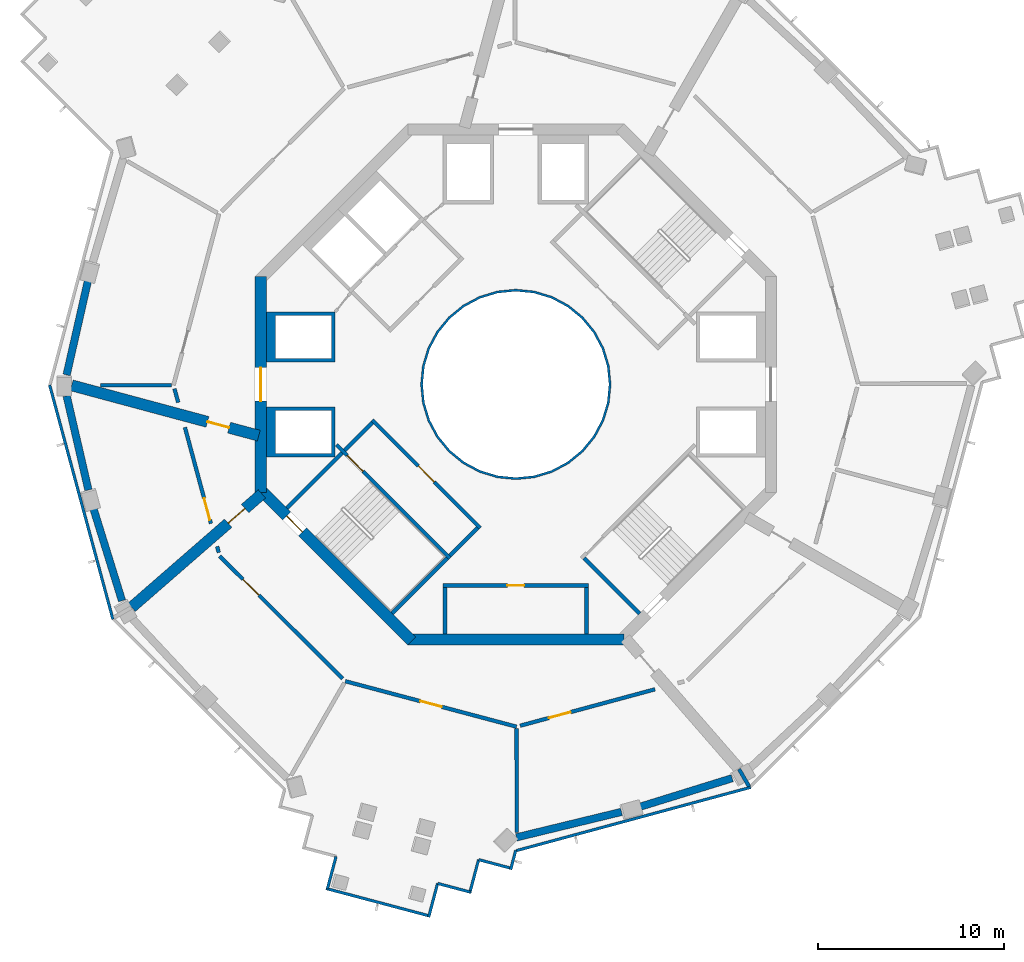
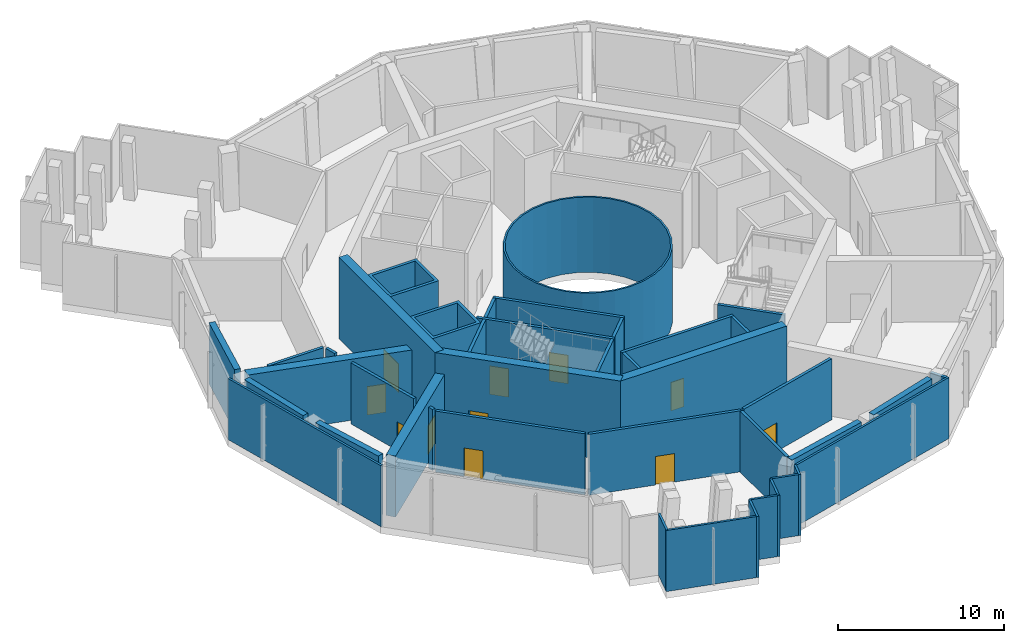
# One storey, part 2 of 16: 41 walls, 11 doors, 11 openings.
"""IFC4 building model written with IfcOpenShell, lengths in metres."""

from ifc_helpers import new_model, si_unit, direction, frame, frame_2d, origin, place, context, subcontext, project, spatial, polyline, rectangle, outline, extrude, material, layer, layer_set, type_object, element, fill, save


model = new_model("IFC4")

# Units and contexts
model_context = context("Model", 3, precision=1e-05, world=origin(), true_north=direction((0.0, 1.0)))
body_context = subcontext(model_context, "Body", "Model", "MODEL_VIEW")
ifc_project = project(units=[si_unit("LENGTHUNIT", "METRE"), si_unit("AREAUNIT", "SQUARE_METRE"), si_unit("VOLUMEUNIT", "CUBIC_METRE"), si_unit("PLANEANGLEUNIT", "RADIAN"), si_unit("MASSUNIT", "GRAM", prefix="KILO")], contexts=[model_context])

# Site, building, storey
site_placement = place(None, origin())
site = spatial("IfcSite", under=ifc_project, at=site_placement, CompositionType="ELEMENT")
building_placement = place(site_placement, origin())
building = spatial("IfcBuilding", under=site, at=building_placement, Name="Verdalira Terraces Hotel", CompositionType="ELEMENT")
storey_placement = place(building_placement, frame((0.0, 0.0, 216.0)))
storey = spatial("IfcBuildingStorey", under=building, at=storey_placement, Name="L53", CompositionType="ELEMENT", Elevation=216.0)

# Walls
ifc_material_1 = material(Name="Fire-resisting glass EI 180", Category="glass")
ifc_layer_1 = layer(ifc_material_1, 0.1201171875)
ifc_layer_set_1 = layer_set([ifc_layer_1], Name="Atrium fire screen 120 mm")
wall_type_1 = type_object("IfcWallType", Name="Atrium fire screen 120 mm", PredefinedType="SOLIDWALL", material=ifc_layer_set_1)
wall_1_placement = place(storey_placement, origin())
element("IfcWall", 1, at=wall_1_placement, inside=storey, type_object=wall_type_1, Name="Atrium fire screen", PredefinedType="SOLIDWALL", context=body_context, shape_type="SweptSolid", body=[
    extrude(outline(polyline([(5.021484, -0.998779), (4.730225, -1.959229), (4.25708, -2.844482), (3.620361, -3.620361), (2.844482, -4.25708), (1.959229, -4.730225), (0.998779, -5.021484), (0.0, -5.120117), (-0.998779, -5.021484), (-1.959229, -4.730225), (-2.844482, -4.25708), (-3.620361, -3.620361), (-4.25708, -2.844482), (-4.730225, -1.959229), (-5.021484, -0.998779), (-5.120117, 0.0), (-5.021484, 0.998779), (-4.730225, 1.959229), (-4.25708, 2.844482), (-3.620361, 3.620361), (-2.844482, 4.25708), (-1.959229, 4.730225), (-0.998779, 5.021484), (0.0, 5.120117), (0.998779, 5.021484), (1.959229, 4.730225), (2.844482, 4.25708), (3.620361, 3.620361), (4.25708, 2.844482), (4.730225, 1.959229), (5.021484, 0.998779), (5.120117, 0.0), (5.021484, -0.998779)]), holes=[polyline([(4.903809, 0.975586), (4.619385, 1.91333), (4.157227, 2.777832), (3.5354, 3.5354), (2.777832, 4.157227), (1.91333, 4.619385), (0.975586, 4.903809), (0.0, 5.0), (-0.975586, 4.903809), (-1.91333, 4.619385), (-2.777832, 4.157227), (-3.5354, 3.5354), (-4.157227, 2.777832), (-4.619385, 1.91333), (-4.903809, 0.975586), (-5.0, 0.0), (-4.903809, -0.975586), (-4.619385, -1.91333), (-4.157227, -2.777832), (-3.5354, -3.5354), (-2.777832, -4.157227), (-1.91333, -4.619385), (-0.975586, -4.903809), (0.0, -5.0), (0.975586, -4.903809), (1.91333, -4.619385), (2.777832, -4.157227), (3.5354, -3.5354), (4.157227, -2.777832), (4.619385, -1.91333), (4.903809, -0.975586), (5.0, 0.0), (4.903809, 0.975586)])]), origin(), (0.0, 0.0, 1.0), 5.550049),
])
ifc_material_2 = material(Name="Concrete C70", Category="concrete")
ifc_layer_2 = layer(ifc_material_2, 0.39990234375)
ifc_layer_set_2 = layer_set([ifc_layer_2], Name="Belt wall 400 C70")
wall_type_2 = type_object("IfcWallType", Name="Belt wall 400 C70", PredefinedType="SHEAR", material=ifc_layer_set_2)
for number, where, z_axis, x_axis, name in (
    (2, (-22.97876, 5.57373, 0.0), (0.0, 0.0, 1.0), (-0.221251094, -0.975216875, 0.0), "Belt wall BW-53-2"),
    (3, (-24.124756, -0.612793, 0.0), (0.0, 0.0, 1.0), (0.225343832, -0.974279302, 0.0), "Belt wall BW-53-3"),
):
    element("IfcWall", number, at=place(storey_placement, frame(where, z_axis=z_axis, x_axis=x_axis)), inside=storey, type_object=wall_type_2, Name=name, PredefinedType="SHEAR", context=body_context, shape_type="SweptSolid", body=[
        extrude(rectangle(XDim=5.190674, YDim=0.399902, at=frame_2d((2.595215, 0.0))), origin(), (0.0, 0.0, 1.0), 4.5),
    ])
wall_2_placement = place(storey_placement, frame((-22.687012, -6.662354, 0.0), z_axis=(0.0, 0.0, 1.0), x_axis=(0.296021963, -0.955181133, 0.0)))
element("IfcWall", 4, at=wall_2_placement, inside=storey, type_object=wall_type_2, Name="Belt wall BW-53-4", PredefinedType="SHEAR", context=body_context, shape_type="SweptSolid", body=[
    extrude(rectangle(XDim=5.190918, YDim=0.399902, at=frame_2d((2.595459, 0.0))), origin(), (0.0, 0.0, 1.0), 4.5),
])
wall_3_placement = place(storey_placement, frame((0.031738, -24.328613, 0.0), z_axis=(0.0, 0.0, 1.0), x_axis=(0.971820053, 0.235723959, 0.0)))
element("IfcWall", 5, at=wall_3_placement, inside=storey, type_object=wall_type_2, Name="Belt wall BW-53-7", PredefinedType="SHEAR", context=body_context, shape_type="SweptSolid", body=[
    extrude(rectangle(XDim=5.807129, YDim=0.399902, at=frame_2d((2.903564, 0.0))), origin(), (0.0, 0.0, 1.0), 4.5),
])
wall_4_placement = place(storey_placement, frame((6.662354, -22.687012, 0.0), z_axis=(0.0, 0.0, 1.0), x_axis=(0.955181133, 0.296021963, 0.0)))
element("IfcWall", 6, at=wall_4_placement, inside=storey, type_object=wall_type_2, Name="Belt wall BW-53-8", PredefinedType="SHEAR", context=body_context, shape_type="SweptSolid", body=[
    extrude(rectangle(XDim=5.190918, YDim=0.399902, at=frame_2d((2.595459, 0.0))), origin(), (0.0, 0.0, 1.0), 4.5),
])
ifc_material_3 = material(Name="Concrete C50", Category="concrete")
ifc_layer_3 = layer(ifc_material_3, 0.199951171875)
ifc_layer_set_3 = layer_set([ifc_layer_3], Name="Core RC wall 200 C50")
wall_type_3 = type_object("IfcWallType", Name="Core RC wall 200 C50", PredefinedType="SOLIDWALL", material=ifc_layer_set_3)
wall_5_placement = place(storey_placement, origin())
element("IfcWall", 7, at=wall_5_placement, inside=storey, type_object=wall_type_3, Name="L53 shaft wall W1", PredefinedType="SOLIDWALL", context=body_context, shape_type="SweptSolid", body=[
    extrude(outline(polyline([(-13.399902, 1.199951), (-13.399902, 3.899902), (-9.699951, 3.899902), (-9.699951, 1.199951), (-13.399902, 1.199951)]), holes=[polyline([(-9.899902, 3.699951), (-12.899902, 3.699951), (-12.899902, 1.399902), (-9.899902, 1.399902), (-9.899902, 3.699951)])]), origin(), (0.0, 0.0, 1.0), 5.550049),
])
wall_6_placement = place(storey_placement, origin())
element("IfcWall", 8, at=wall_6_placement, inside=storey, type_object=wall_type_3, Name="L53 shaft wall W2", PredefinedType="SOLIDWALL", context=body_context, shape_type="SweptSolid", body=[
    extrude(outline(polyline([(-9.699951, -3.899902), (-13.399902, -3.899902), (-13.399902, -1.199951), (-9.699951, -1.199951), (-9.699951, -3.899902)]), holes=[polyline([(-12.899902, -1.399902), (-12.899902, -3.699951), (-9.899902, -3.699951), (-9.899902, -1.399902), (-12.899902, -1.399902)])]), origin(), (0.0, 0.0, 1.0), 5.550049),
])

# Wall, opening, door
wall_7_placement = place(storey_placement, frame((-3.899902, -10.800049, 0.0), z_axis=(0.0, 0.0, 1.0), x_axis=(1.0, 0.0, 0.0)))
wall_7 = element("IfcWall", 9, at=wall_7_placement, inside=storey, type_object=wall_type_3, Name="L53 store front wall", PredefinedType="SOLIDWALL", context=body_context, shape_type="SweptSolid", body=[
    extrude(rectangle(XDim=7.799805, YDim=0.199951, at=frame_2d((3.899902, 0.0))), origin(), (0.0, 0.0, 1.0), 5.550049),
])
opening_1_placement = place(wall_7_placement, frame((3.449951, 0.0, 0.0)))
opening_1 = element("IfcOpeningElement", 10, at=opening_1_placement, cuts=wall_7, Name="Opening L53-801", PredefinedType="OPENING", context=body_context, shape_type="SweptSolid", body=[
    extrude(rectangle(XDim=0.899902, YDim=2.100098, at=frame_2d((0.449951, 1.050049))), frame((0.0, 0.109863, 0.0), z_axis=(0.0, -1.0, 0.0), x_axis=(1.0, 0.0, 0.0)), (0.0, 0.0, 1.0), 0.219971),
])
ifc_material_4 = material(Name="Steel fire door", Category="steel")
door_type_1 = type_object("IfcDoorType", Name="Core room door 900 x 2100", OperationType="NOTDEFINED", PredefinedType="DOOR", material=ifc_material_4)
door_1_placement = place(opening_1_placement, origin())
door_1 = element("IfcDoor", 11, at=door_1_placement, inside=storey, type_object=door_type_1, Name="Store door L53 SS", OperationType="SINGLE_SWING_LEFT", OverallHeight=2.10009765625, OverallWidth=0.89990234375, PredefinedType="DOOR", context=body_context, shape_type="SweptSolid", body=[
    extrude(rectangle(XDim=0.899902, YDim=2.100098, at=frame_2d((0.449951, 1.050049))), frame((0.0, 0.024902, 0.0), z_axis=(0.0, -1.0, 0.0), x_axis=(1.0, 0.0, 0.0)), (0.0, 0.0, 1.0), 0.050049),
])
fill(opening_1, door_1)

# Walls
for number, where, z_axis, x_axis, name in (
    (12, (-3.800049, -10.899902, 0.0), (0.0, 0.0, 1.0), (0.0, -1.0, 0.0), "L53 store side wall"),
    (13, (3.800049, -10.899902, 0.0), (0.0, 0.0, 1.0), (0.0, -1.0, 0.0), "L53 store side wall"),
):
    element("IfcWall", number, at=place(storey_placement, frame(where, z_axis=z_axis, x_axis=x_axis)), inside=storey, type_object=wall_type_3, Name=name, PredefinedType="SOLIDWALL", context=body_context, shape_type="SweptSolid", body=[
        extrude(rectangle(XDim=2.5, YDim=0.199951, at=frame_2d((1.25, 0.0))), origin(), (0.0, 0.0, 1.0), 5.550049),
    ])

# Wall, opening, door
wall_8_placement = place(storey_placement, frame((-3.5354, -9.33374, 0.0), z_axis=(0.0, 0.0, 1.0), x_axis=(-0.707120946, 0.707092617, 0.0)))
wall_8 = element("IfcWall", 14, at=wall_8_placement, inside=storey, type_object=wall_type_3, Name="L53 stair ST2 front wall", PredefinedType="SOLIDWALL", context=body_context, shape_type="SweptSolid", body=[
    extrude(rectangle(XDim=8.61792, YDim=0.199951, at=frame_2d((4.309082, 0.0))), origin(), (0.0, 0.0, 1.0), 5.550049),
])
opening_2_placement = place(wall_8_placement, frame((6.600098, 0.0, 0.0)))
opening_2 = element("IfcOpeningElement", 15, at=opening_2_placement, cuts=wall_8, Name="Opening L53-805", PredefinedType="OPENING", context=body_context, shape_type="SweptSolid", body=[
    extrude(rectangle(XDim=1.199951, YDim=2.100098, at=frame_2d((0.600098, 1.050049))), frame((0.0, 0.109863, 0.0), z_axis=(0.0, -1.0, 0.0), x_axis=(1.0, 0.0, 0.0)), (0.0, 0.0, 1.0), 0.219971),
])
ifc_material_5 = material(Name="Steel fire door", Category="steel")
door_type_2 = type_object("IfcDoorType", Name="Stair door 1200 x 2100", OperationType="NOTDEFINED", PredefinedType="DOOR", material=ifc_material_5)
door_2_placement = place(opening_2_placement, origin())
door_2 = element("IfcDoor", 16, at=door_2_placement, inside=storey, type_object=door_type_2, Name="Stair door ST2 L53", OperationType="SINGLE_SWING_RIGHT", OverallHeight=2.10009765625, OverallWidth=1.199951171875, PredefinedType="DOOR", context=body_context, shape_type="SweptSolid", body=[
    extrude(rectangle(XDim=1.199951, YDim=2.100098, at=frame_2d((0.600098, 1.050049))), frame((0.0, 0.024902, 0.0), z_axis=(0.0, -1.0, 0.0), x_axis=(1.0, 0.0, 0.0)), (0.0, 0.0, 1.0), 0.050049),
])
fill(opening_2, door_2)

# Walls
for number, where, z_axis, x_axis, name in (
    (17, (-9.33374, -3.677002, 0.0), (0.0, 0.0, 1.0), (-0.707135845, -0.707077716, 0.0), "L53 stair ST2 end wall 1"),
    (18, (-3.677002, -9.33374, 0.0), (0.0, 0.0, 1.0), (-0.707077716, -0.707135845, 0.0), "L53 stair ST2 end wall 2"),
    (19, (3.677002, -9.33374, 0.0), (0.0, 0.0, 1.0), (0.707077716, -0.707135845, 0.0), "L53 stair ST3 end wall 1"),
):
    element("IfcWall", number, at=place(storey_placement, frame(where, z_axis=z_axis, x_axis=x_axis)), inside=storey, type_object=wall_type_3, Name=name, PredefinedType="SOLIDWALL", context=body_context, shape_type="SweptSolid", body=[
        extrude(rectangle(XDim=4.199951, YDim=0.199951, at=frame_2d((2.100098, 0.0))), origin(), (0.0, 0.0, 1.0), 5.550049),
    ])

# Wall, opening, door
wall_9_placement = place(storey_placement, frame((-7.70752, -1.90918, 0.0), z_axis=(0.0, 0.0, 1.0), x_axis=(0.707106781, -0.707106781, 0.0)))
wall_9 = element("IfcWall", 20, at=wall_9_placement, inside=storey, type_object=wall_type_3, Name="Stair lobby wall ST2 L53", PredefinedType="SOLIDWALL", context=body_context, shape_type="SweptSolid", body=[
    extrude(rectangle(XDim=8.200195, YDim=0.199951, at=frame_2d((4.100098, 0.0))), origin(), (0.0, 0.0, 1.0), 5.550049),
])
opening_3_placement = place(wall_9_placement, frame((3.5, 0.0, 0.0)))
opening_3 = element("IfcOpeningElement", 21, at=opening_3_placement, cuts=wall_9, Name="Opening L53-817", PredefinedType="OPENING", context=body_context, shape_type="SweptSolid", body=[
    extrude(rectangle(XDim=1.199951, YDim=2.100098, at=frame_2d((0.600098, 1.050049))), frame((0.0, 0.109863, 0.0), z_axis=(0.0, -1.0, 0.0), x_axis=(1.0, 0.0, 0.0)), (0.0, 0.0, 1.0), 0.219971),
])
ifc_material_6 = material(Name="Steel fire door", Category="steel")
door_type_3 = type_object("IfcDoorType", Name="Lobby door 1200 x 2100", OperationType="NOTDEFINED", PredefinedType="DOOR", material=ifc_material_6)
door_3_placement = place(opening_3_placement, origin())
door_3 = element("IfcDoor", 22, at=door_3_placement, inside=storey, type_object=door_type_3, Name="Door L53 lobbyST2", OperationType="SINGLE_SWING_LEFT", OverallHeight=2.10009765625, OverallWidth=1.199951171875, PredefinedType="DOOR", context=body_context, shape_type="SweptSolid", body=[
    extrude(rectangle(XDim=1.199951, YDim=2.100098, at=frame_2d((0.600098, 1.050049))), frame((0.0, 0.024902, 0.0), z_axis=(0.0, -1.0, 0.0), x_axis=(1.0, 0.0, 0.0)), (0.0, 0.0, 1.0), 0.050049),
])
fill(opening_3, door_3)

# Walls
for number, where, z_axis, x_axis, name in (
    (23, (-7.70752, -2.050537, 0.0), (0.0, 0.0, 1.0), (-0.707106781, -0.707106781, 0.0), "Stair lobby wall ST2 L53"),
    (24, (-2.050537, -7.70752, 0.0), (0.0, 0.0, 1.0), (-0.707106781, -0.707106781, 0.0), "Stair lobby wall ST2 L53"),
):
    element("IfcWall", number, at=place(storey_placement, frame(where, z_axis=z_axis, x_axis=x_axis)), inside=storey, type_object=wall_type_3, Name=name, PredefinedType="SOLIDWALL", context=body_context, shape_type="SweptSolid", body=[
        extrude(rectangle(XDim=2.099854, YDim=0.199951, at=frame_2d((1.049805, 0.0))), origin(), (0.0, 0.0, 1.0), 5.550049),
    ])

# Wall, opening, door
ifc_material_7 = material(Name="Concrete C60", Category="concrete")
ifc_layer_4 = layer(ifc_material_7, 0.60009765625)
ifc_layer_set_4 = layer_set([ifc_layer_4], Name="Core wall 600 C60")
wall_type_4 = type_object("IfcWallType", Name="Core wall 600 C60", PredefinedType="SHEAR", material=ifc_layer_set_4)
wall_10_placement = place(storey_placement, frame((-13.699951, 5.799072, 0.0), z_axis=(0.0, 0.0, 1.0), x_axis=(0.0, -1.0, 0.0)))
wall_10 = element("IfcWall", 25, at=wall_10_placement, inside=storey, type_object=wall_type_4, Name="Core wall CW-L53-5", PredefinedType="SHEAR", context=body_context, shape_type="SweptSolid", body=[
    extrude(rectangle(XDim=11.598145, YDim=0.600098, at=frame_2d((5.799072, 0.0))), origin(), (0.0, 0.0, 1.0), 6.0),
])
opening_4_placement = place(wall_10_placement, frame((4.898926, 0.0, 0.0)))
opening_4 = element("IfcOpeningElement", 26, at=opening_4_placement, cuts=wall_10, Name="Opening L53-809", PredefinedType="OPENING", context=body_context, shape_type="SweptSolid", body=[
    extrude(rectangle(XDim=1.800049, YDim=2.100098, at=frame_2d((0.899902, 1.050049))), frame((0.0, 0.310059, 0.0), z_axis=(0.0, -1.0, 0.0), x_axis=(1.0, 0.0, 0.0)), (0.0, 0.0, 1.0), 0.620117),
])
ifc_material_8 = material(Name="Steel fire door", Category="steel")
door_type_4 = type_object("IfcDoorType", Name="Core entry door pair 1800 x 2100", OperationType="NOTDEFINED", PredefinedType="DOOR", material=ifc_material_8)
door_4_placement = place(opening_4_placement, origin())
door_4 = element("IfcDoor", 27, at=door_4_placement, inside=storey, type_object=door_type_4, Name="Core entry door L53 4", OperationType="DOUBLE_DOOR_SINGLE_SWING", OverallHeight=2.10009765625, OverallWidth=1.800048828125, PredefinedType="DOOR", context=body_context, shape_type="SweptSolid", body=[
    extrude(rectangle(XDim=1.800049, YDim=2.100098, at=frame_2d((0.899902, 1.050049))), frame((0.0, 0.024902, 0.0), z_axis=(0.0, -1.0, 0.0), x_axis=(1.0, 0.0, 0.0)), (0.0, 0.0, 1.0), 0.050049),
])
fill(opening_4, door_4)

wall_11_placement = place(storey_placement, frame((-13.787842, -5.586914, 0.0), z_axis=(0.0, 0.0, 1.0), x_axis=(0.707106781, -0.707106781, 0.0)))
wall_11 = element("IfcWall", 28, at=wall_11_placement, inside=storey, type_object=wall_type_4, Name="Core wall CW-L53-6", PredefinedType="SHEAR", context=body_context, shape_type="SweptSolid", body=[
    extrude(rectangle(XDim=11.5979, YDim=0.600098, at=frame_2d((5.798828, 0.0))), origin(), (0.0, 0.0, 1.0), 6.0),
])
opening_5_placement = place(wall_11_placement, frame((2.099121, 0.0, 0.0)))
opening_5 = element("IfcOpeningElement", 29, at=opening_5_placement, cuts=wall_11, Name="Opening L53-811", PredefinedType="OPENING", context=body_context, shape_type="SweptSolid", body=[
    extrude(rectangle(XDim=1.199951, YDim=2.100098, at=frame_2d((0.600098, 1.050049))), frame((0.0, 0.310059, 0.0), z_axis=(0.0, -1.0, 0.0), x_axis=(1.0, 0.0, 0.0)), (0.0, 0.0, 1.0), 0.620117),
])
door_5_placement = place(opening_5_placement, origin())
door_5 = element("IfcDoor", 30, at=door_5_placement, inside=storey, type_object=door_type_2, Name="Stair exit door ST2 L53", OperationType="SINGLE_SWING_LEFT", OverallHeight=2.10009765625, OverallWidth=1.199951171875, PredefinedType="DOOR", context=body_context, shape_type="SweptSolid", body=[
    extrude(rectangle(XDim=1.199951, YDim=2.100098, at=frame_2d((0.600098, 1.050049))), frame((0.0, 0.024902, 0.0), z_axis=(0.0, -1.0, 0.0), x_axis=(1.0, 0.0, 0.0)), (0.0, 0.0, 1.0), 0.050049),
])
fill(opening_5, door_5)

# Wall
wall_12_placement = place(storey_placement, frame((-5.799072, -13.699951, 0.0), z_axis=(0.0, 0.0, 1.0), x_axis=(1.0, 0.0, 0.0)))
element("IfcWall", 31, at=wall_12_placement, inside=storey, type_object=wall_type_4, Name="Core wall CW-L53-7", PredefinedType="SHEAR", context=body_context, shape_type="SweptSolid", body=[
    extrude(rectangle(XDim=11.598145, YDim=0.600098, at=frame_2d((5.799072, 0.0))), origin(), (0.0, 0.0, 1.0), 6.0),
])

# Wall, opening, door
ifc_material_9 = material(Name="Concrete C70", Category="concrete")
ifc_layer_5 = layer(ifc_material_9, 0.60009765625)
ifc_layer_set_5 = layer_set([ifc_layer_5], Name="Outrigger wall 600 C70")
wall_type_5 = type_object("IfcWallType", Name="Outrigger wall 600 C70", PredefinedType="SHEAR", material=ifc_layer_set_5)
wall_13_placement = place(storey_placement, frame((-13.806885, -2.751953, 0.0), z_axis=(0.0, 0.0, 1.0), x_axis=(-0.965695007, 0.259678944, 0.0)))
wall_13 = element("IfcWall", 32, at=wall_13_placement, inside=storey, type_object=wall_type_5, Name="Outrigger wall OW-53-1", PredefinedType="SHEAR", context=body_context, shape_type="SweptSolid", body=[
    extrude(rectangle(XDim=10.404785, YDim=0.600098, at=frame_2d((5.202393, 0.0))), origin(), (0.0, 0.0, 1.0), 4.5),
])
opening_6_placement = place(wall_13_placement, frame((1.649902, 0.0, 0.0)))
opening_6 = element("IfcOpeningElement", 33, at=opening_6_placement, cuts=wall_13, Name="Opening L53-101", PredefinedType="OPENING", context=body_context, shape_type="SweptSolid", body=[
    extrude(rectangle(XDim=1.199951, YDim=2.100098, at=frame_2d((0.600098, 1.050049))), frame((0.0, 0.310059, 0.0), z_axis=(0.0, -1.0, 0.0), x_axis=(1.0, 0.0, 0.0)), (0.0, 0.0, 1.0), 0.620117),
])
ifc_material_10 = material(Name="Steel fire door", Category="steel")
door_type_5 = type_object("IfcDoorType", Name="Plant room door 1200 x 2100", OperationType="NOTDEFINED", PredefinedType="DOOR", material=ifc_material_10)
door_6_placement = place(opening_6_placement, origin())
door_6 = element("IfcDoor", 34, at=door_6_placement, inside=storey, type_object=door_type_5, Name="Plant room door", OperationType="SINGLE_SWING_LEFT", OverallHeight=2.10009765625, OverallWidth=1.199951171875, PredefinedType="DOOR", context=body_context, shape_type="SweptSolid", body=[
    extrude(rectangle(XDim=1.199951, YDim=2.100098, at=frame_2d((0.600098, 1.050049))), frame((0.0, 0.024902, 0.0), z_axis=(0.0, -1.0, 0.0), x_axis=(1.0, 0.0, 0.0)), (0.0, 0.0, 1.0), 0.050049),
])
fill(opening_6, door_6)

wall_14_placement = place(storey_placement, frame((-13.637695, -5.87915, 0.0), z_axis=(0.0, 0.0, 1.0), x_axis=(-0.754178716, -0.656669219, 0.0)))
wall_14 = element("IfcWall", 35, at=wall_14_placement, inside=storey, type_object=wall_type_5, Name="Outrigger wall OW-53-2", PredefinedType="SHEAR", context=body_context, shape_type="SweptSolid", body=[
    extrude(rectangle(XDim=9.276367, YDim=0.600098, at=frame_2d((4.638184, 0.0))), origin(), (0.0, 0.0, 1.0), 4.5),
])
opening_7_placement = place(wall_14_placement, frame((1.199951, 0.0, 0.0)))
opening_7 = element("IfcOpeningElement", 36, at=opening_7_placement, cuts=wall_14, Name="Opening L53-102", PredefinedType="OPENING", context=body_context, shape_type="SweptSolid", body=[
    extrude(rectangle(XDim=1.199951, YDim=2.100098, at=frame_2d((0.600098, 1.050049))), frame((0.0, 0.310059, 0.0), z_axis=(0.0, -1.0, 0.0), x_axis=(1.0, 0.0, 0.0)), (0.0, 0.0, 1.0), 0.620117),
])
door_7_placement = place(opening_7_placement, origin())
door_7 = element("IfcDoor", 37, at=door_7_placement, inside=storey, type_object=door_type_5, Name="Plant room door", OperationType="SINGLE_SWING_LEFT", OverallHeight=2.10009765625, OverallWidth=1.199951171875, PredefinedType="DOOR", context=body_context, shape_type="SweptSolid", body=[
    extrude(rectangle(XDim=1.199951, YDim=2.100098, at=frame_2d((0.600098, 1.050049))), frame((0.0, 0.024902, 0.0), z_axis=(0.0, -1.0, 0.0), x_axis=(1.0, 0.0, 0.0)), (0.0, 0.0, 1.0), 0.050049),
])
fill(opening_7, door_7)

# Walls
ifc_material_11 = material(Name="Fire-rated concrete block wall", Category="concrete")
ifc_layer_6 = layer(ifc_material_11, 0.199951171875)
ifc_layer_set_6 = layer_set([ifc_layer_6], Name="Plant room wall 200 mm")
wall_type_6 = type_object("IfcWallType", Name="Plant room wall 200 mm", PredefinedType="SOLIDWALL", material=ifc_layer_set_6)
wall_15_placement = place(storey_placement, frame((-18.488281, -0.038818, 0.0), z_axis=(0.0, 0.0, 1.0), x_axis=(-0.999997915, -0.002042114, 0.0)))
element("IfcWall", 38, at=wall_15_placement, inside=storey, type_object=wall_type_6, Name="Plant room wall", PredefinedType="SOLIDWALL", context=body_context, shape_type="SweptSolid", body=[
    extrude(rectangle(XDim=3.825684, YDim=0.199951, at=frame_2d((1.912842, 0.0))), origin(), (0.0, 0.0, 1.0), 4.5),
])
wall_16_placement = place(storey_placement, frame((-18.33252, -0.231689, 0.0), z_axis=(0.0, 0.0, 1.0), x_axis=(0.260764142, -0.965402539, 0.0)))
element("IfcWall", 39, at=wall_16_placement, inside=storey, type_object=wall_type_6, Name="Plant room wall", PredefinedType="SOLIDWALL", context=body_context, shape_type="SweptSolid", body=[
    extrude(rectangle(XDim=0.763916, YDim=0.199951, at=frame_2d((0.381836, 0.0))), origin(), (0.0, 0.0, 1.0), 4.5),
])

# Wall, opening, door
wall_17_placement = place(storey_placement, frame((-16.376709, -7.470703, 0.0), z_axis=(0.0, 0.0, 1.0), x_axis=(-0.260807891, 0.965390721, 0.0)))
wall_17 = element("IfcWall", 40, at=wall_17_placement, inside=storey, type_object=wall_type_6, Name="Plant room wall", PredefinedType="SOLIDWALL", context=body_context, shape_type="SweptSolid", body=[
    extrude(rectangle(XDim=5.35083, YDim=0.199951, at=frame_2d((2.675293, 0.0))), origin(), (0.0, 0.0, 1.0), 4.5),
])
opening_8_placement = place(wall_17_placement, frame((0.199951, 0.0, 0.0)))
opening_8 = element("IfcOpeningElement", 41, at=opening_8_placement, cuts=wall_17, Name="Opening L53-109", PredefinedType="OPENING", context=body_context, shape_type="SweptSolid", body=[
    extrude(rectangle(XDim=1.199951, YDim=2.100098, at=frame_2d((0.600098, 1.050049))), frame((0.0, 0.109863, 0.0), z_axis=(0.0, -1.0, 0.0), x_axis=(1.0, 0.0, 0.0)), (0.0, 0.0, 1.0), 0.219971),
])
door_8_placement = place(opening_8_placement, origin())
door_8 = element("IfcDoor", 42, at=door_8_placement, inside=storey, type_object=door_type_5, Name="Plant room door 5303", OperationType="SINGLE_SWING_LEFT", OverallHeight=2.10009765625, OverallWidth=1.199951171875, PredefinedType="DOOR", context=body_context, shape_type="SweptSolid", body=[
    extrude(rectangle(XDim=1.199951, YDim=2.100098, at=frame_2d((0.600098, 1.050049))), frame((0.0, 0.024902, 0.0), z_axis=(0.0, -1.0, 0.0), x_axis=(1.0, 0.0, 0.0)), (0.0, 0.0, 1.0), 0.050049),
])
fill(opening_8, door_8)

# Wall
wall_18_placement = place(storey_placement, frame((-16.043701, -8.702637, 0.0), z_axis=(0.0, 0.0, 1.0), x_axis=(0.26063923, -0.96543627, 0.0)))
element("IfcWall", 43, at=wall_18_placement, inside=storey, type_object=wall_type_6, Name="Plant room wall", PredefinedType="SOLIDWALL", context=body_context, shape_type="SweptSolid", body=[
    extrude(rectangle(XDim=0.341797, YDim=0.199951, at=frame_2d((0.170898, 0.0))), origin(), (0.0, 0.0, 1.0), 4.5),
])

# Wall, opening, door
wall_19_placement = place(storey_placement, frame((-9.300781, -15.799805, 0.0), z_axis=(0.0, 0.0, 1.0), x_axis=(-0.708572717, 0.7056378, 0.0)))
wall_19 = element("IfcWall", 44, at=wall_19_placement, inside=storey, type_object=wall_type_6, Name="Plant room wall", PredefinedType="SOLIDWALL", context=body_context, shape_type="SweptSolid", body=[
    extrude(rectangle(XDim=9.31665, YDim=0.199951, at=frame_2d((4.658203, 0.0))), origin(), (0.0, 0.0, 1.0), 4.5),
])
opening_9_placement = place(wall_19_placement, frame((6.350098, 0.0, 0.0)))
opening_9 = element("IfcOpeningElement", 45, at=opening_9_placement, cuts=wall_19, Name="Opening L53-110", PredefinedType="OPENING", context=body_context, shape_type="SweptSolid", body=[
    extrude(rectangle(XDim=1.199951, YDim=2.100098, at=frame_2d((0.600098, 1.050049))), frame((0.0, 0.109863, 0.0), z_axis=(0.0, -1.0, 0.0), x_axis=(1.0, 0.0, 0.0)), (0.0, 0.0, 1.0), 0.219971),
])
door_9_placement = place(opening_9_placement, origin())
door_9 = element("IfcDoor", 46, at=door_9_placement, inside=storey, type_object=door_type_5, Name="Plant room door 5304", OperationType="SINGLE_SWING_LEFT", OverallHeight=2.10009765625, OverallWidth=1.199951171875, PredefinedType="DOOR", context=body_context, shape_type="SweptSolid", body=[
    extrude(rectangle(XDim=1.199951, YDim=2.100098, at=frame_2d((0.600098, 1.050049))), frame((0.0, 0.024902, 0.0), z_axis=(0.0, -1.0, 0.0), x_axis=(1.0, 0.0, 0.0)), (0.0, 0.0, 1.0), 0.050049),
])
fill(opening_9, door_9)

wall_20_placement = place(storey_placement, frame((0.038574, -18.384766, 0.0), z_axis=(0.0, 0.0, 1.0), x_axis=(-0.966465332, 0.256797122, 0.0)))
wall_20 = element("IfcWall", 47, at=wall_20_placement, inside=storey, type_object=wall_type_6, Name="Plant room wall", PredefinedType="SOLIDWALL", context=body_context, shape_type="SweptSolid", body=[
    extrude(rectangle(XDim=9.516602, YDim=0.199951, at=frame_2d((4.758301, 0.0))), origin(), (0.0, 0.0, 1.0), 4.5),
])
opening_10_placement = place(wall_20_placement, frame((4.149902, 0.0, 0.0)))
opening_10 = element("IfcOpeningElement", 48, at=opening_10_placement, cuts=wall_20, Name="Opening L53-111", PredefinedType="OPENING", context=body_context, shape_type="SweptSolid", body=[
    extrude(rectangle(XDim=1.199951, YDim=2.100098, at=frame_2d((0.600098, 1.050049))), frame((0.0, 0.109863, 0.0), z_axis=(0.0, -1.0, 0.0), x_axis=(1.0, 0.0, 0.0)), (0.0, 0.0, 1.0), 0.219971),
])
door_10_placement = place(opening_10_placement, origin())
door_10 = element("IfcDoor", 49, at=door_10_placement, inside=storey, type_object=door_type_5, Name="Plant room door 5305", OperationType="SINGLE_SWING_LEFT", OverallHeight=2.10009765625, OverallWidth=1.199951171875, PredefinedType="DOOR", context=body_context, shape_type="SweptSolid", body=[
    extrude(rectangle(XDim=1.199951, YDim=2.100098, at=frame_2d((0.600098, 1.050049))), frame((0.0, 0.024902, 0.0), z_axis=(0.0, -1.0, 0.0), x_axis=(1.0, 0.0, 0.0)), (0.0, 0.0, 1.0), 0.050049),
])
fill(opening_10, door_10)

# Wall
wall_21_placement = place(storey_placement, frame((0.038818, -18.488281, 0.0), z_axis=(0.0, 0.0, 1.0), x_axis=(0.002057969, -0.999997882, 0.0)))
element("IfcWall", 50, at=wall_21_placement, inside=storey, type_object=wall_type_6, Name="Plant room wall", PredefinedType="SOLIDWALL", context=body_context, shape_type="SweptSolid", body=[
    extrude(rectangle(XDim=5.575684, YDim=0.199951, at=frame_2d((2.787842, 0.0))), origin(), (0.0, 0.0, 1.0), 4.5),
])

# Wall, opening, door
wall_22_placement = place(storey_placement, frame((7.470703, -16.376709, 0.0), z_axis=(0.0, 0.0, 1.0), x_axis=(-0.965386218, -0.260824559, 0.0)))
wall_22 = element("IfcWall", 51, at=wall_22_placement, inside=storey, type_object=wall_type_6, Name="Plant room wall", PredefinedType="SOLIDWALL", context=body_context, shape_type="SweptSolid", body=[
    extrude(rectangle(XDim=7.498535, YDim=0.199951, at=frame_2d((3.749268, 0.0))), origin(), (0.0, 0.0, 1.0), 4.5),
])
opening_11_placement = place(wall_22_placement, frame((4.699951, 0.0, 0.0)))
opening_11 = element("IfcOpeningElement", 52, at=opening_11_placement, cuts=wall_22, Name="Opening L53-112", PredefinedType="OPENING", context=body_context, shape_type="SweptSolid", body=[
    extrude(rectangle(XDim=1.199951, YDim=2.100098, at=frame_2d((0.600098, 1.050049))), frame((0.0, 0.109863, 0.0), z_axis=(0.0, -1.0, 0.0), x_axis=(1.0, 0.0, 0.0)), (0.0, 0.0, 1.0), 0.219971),
])
door_11_placement = place(opening_11_placement, origin())
door_11 = element("IfcDoor", 53, at=door_11_placement, inside=storey, type_object=door_type_5, Name="Plant room door 5306", OperationType="SINGLE_SWING_LEFT", OverallHeight=2.10009765625, OverallWidth=1.199951171875, PredefinedType="DOOR", context=body_context, shape_type="SweptSolid", body=[
    extrude(rectangle(XDim=1.199951, YDim=2.100098, at=frame_2d((0.600098, 1.050049))), frame((0.0, 0.024902, 0.0), z_axis=(0.0, -1.0, 0.0), x_axis=(1.0, 0.0, 0.0)), (0.0, 0.0, 1.0), 0.050049),
])
fill(opening_11, door_11)

# Walls
wall_23_placement = place(storey_placement, frame((11.987549, -20.662842, 0.0), z_axis=(0.0, 0.0, 1.0), x_axis=(0.501823383, -0.86497011, 0.0)))
element("IfcWall", 54, at=wall_23_placement, inside=storey, type_object=wall_type_6, Name="Plant room wall", PredefinedType="SOLIDWALL", context=body_context, shape_type="SweptSolid", body=[
    extrude(rectangle(XDim=1.075684, YDim=0.199951, at=frame_2d((0.537842, 0.0))), origin(), (0.0, 0.0, 1.0), 4.5),
])
ifc_material_12 = material(Name="Terracotta cladding", Category="masonry")
ifc_layer_7 = layer(ifc_material_12, 0.14990234375)
ifc_layer_set_7 = layer_set([ifc_layer_7], Name="Terracotta clad wall 150")
wall_type_7 = type_object("IfcWallType", Name="Terracotta clad wall 150", PredefinedType="SOLIDWALL", material=ifc_layer_set_7)
wall_24_placement = place(storey_placement, frame((-25.041504, -0.032959, 0.0), z_axis=(0.0, 0.0, 1.0), x_axis=(0.26082977, -0.96538481, 0.0)))
element("IfcWall", 55, at=wall_24_placement, inside=storey, type_object=wall_type_7, Name="Terracotta cladding wall", PredefinedType="SOLIDWALL", context=body_context, shape_type="SweptSolid", body=[
    extrude(rectangle(XDim=13.034912, YDim=0.149902, at=frame_2d((6.517578, 0.0))), origin(), (0.0, 0.0, 1.0), 4.5),
])
wall_25_placement = place(storey_placement, frame((-9.659424, -25.353027, 0.0), z_axis=(0.0, 0.0, 1.0), x_axis=(-0.256742407, -0.966479869, 0.0)))
element("IfcWall", 56, at=wall_25_placement, inside=storey, type_object=wall_type_7, Name="Terracotta cladding wall", PredefinedType="SOLIDWALL", context=body_context, shape_type="SweptSolid", body=[
    extrude(rectangle(XDim=1.800049, YDim=0.149902, at=frame_2d((0.899902, 0.0))), origin(), (0.0, 0.0, 1.0), 4.5),
])
wall_26_placement = place(storey_placement, frame((-10.194092, -27.073486, 0.0), z_axis=(0.0, 0.0, 1.0), x_axis=(0.966473057, -0.256768048, 0.0)))
element("IfcWall", 57, at=wall_26_placement, inside=storey, type_object=wall_type_7, Name="Terracotta cladding wall", PredefinedType="SOLIDWALL", context=body_context, shape_type="SweptSolid", body=[
    extrude(rectangle(XDim=5.724854, YDim=0.149902, at=frame_2d((2.862305, 0.0))), origin(), (0.0, 0.0, 1.0), 4.5),
])
wall_27_placement = place(storey_placement, frame((-4.68042, -28.615967, 0.0), z_axis=(0.0, 0.0, 1.0), x_axis=(0.25678723, 0.966467961, 0.0)))
element("IfcWall", 58, at=wall_27_placement, inside=storey, type_object=wall_type_7, Name="Terracotta cladding wall", PredefinedType="SOLIDWALL", context=body_context, shape_type="SweptSolid", body=[
    extrude(rectangle(XDim=1.875, YDim=0.149902, at=frame_2d((0.9375, 0.0))), origin(), (0.0, 0.0, 1.0), 4.5),
])
wall_28_placement = place(storey_placement, frame((-4.198975, -26.803955, 0.0), z_axis=(0.0, 0.0, 1.0), x_axis=(0.966479869, -0.256742407, 0.0)))
element("IfcWall", 59, at=wall_28_placement, inside=storey, type_object=wall_type_7, Name="Terracotta cladding wall", PredefinedType="SOLIDWALL", context=body_context, shape_type="SweptSolid", body=[
    extrude(rectangle(XDim=1.800049, YDim=0.149902, at=frame_2d((0.899902, 0.0))), origin(), (0.0, 0.0, 1.0), 4.5),
])
wall_29_placement = place(storey_placement, frame((-2.478516, -27.338623, 0.0), z_axis=(0.0, 0.0, 1.0), x_axis=(0.25678723, 0.966467961, 0.0)))
element("IfcWall", 60, at=wall_29_placement, inside=storey, type_object=wall_type_7, Name="Terracotta cladding wall", PredefinedType="SOLIDWALL", context=body_context, shape_type="SweptSolid", body=[
    extrude(rectangle(XDim=1.875, YDim=0.149902, at=frame_2d((0.9375, 0.0))), origin(), (0.0, 0.0, 1.0), 4.5),
])
wall_30_placement = place(storey_placement, frame((-1.99707, -25.526611, 0.0), z_axis=(0.0, 0.0, 1.0), x_axis=(0.966479869, -0.256742407, 0.0)))
element("IfcWall", 61, at=wall_30_placement, inside=storey, type_object=wall_type_7, Name="Terracotta cladding wall", PredefinedType="SOLIDWALL", context=body_context, shape_type="SweptSolid", body=[
    extrude(rectangle(XDim=1.800049, YDim=0.149902, at=frame_2d((0.899902, 0.0))), origin(), (0.0, 0.0, 1.0), 4.5),
])
wall_31_placement = place(storey_placement, frame((-0.276611, -26.061279, 0.0), z_axis=(0.0, 0.0, 1.0), x_axis=(0.256616547, 0.966513294, 0.0)))
element("IfcWall", 62, at=wall_31_placement, inside=storey, type_object=wall_type_7, Name="Terracotta cladding wall", PredefinedType="SOLIDWALL", context=body_context, shape_type="SweptSolid", body=[
    extrude(rectangle(XDim=1.074951, YDim=0.149902, at=frame_2d((0.537598, 0.0))), origin(), (0.0, 0.0, 1.0), 4.5),
])
wall_32_placement = place(storey_placement, frame((0.021729, -25.044678, 0.0), z_axis=(0.0, 0.0, 1.0), x_axis=(0.965382116, 0.260839739, 0.0)))
element("IfcWall", 63, at=wall_32_placement, inside=storey, type_object=wall_type_7, Name="Terracotta cladding wall", PredefinedType="SOLIDWALL", context=body_context, shape_type="SweptSolid", body=[
    extrude(rectangle(XDim=13.046631, YDim=0.149902, at=frame_2d((6.523438, 0.0))), origin(), (0.0, 0.0, 1.0), 4.5),
])

save(model, "model.ifc")
